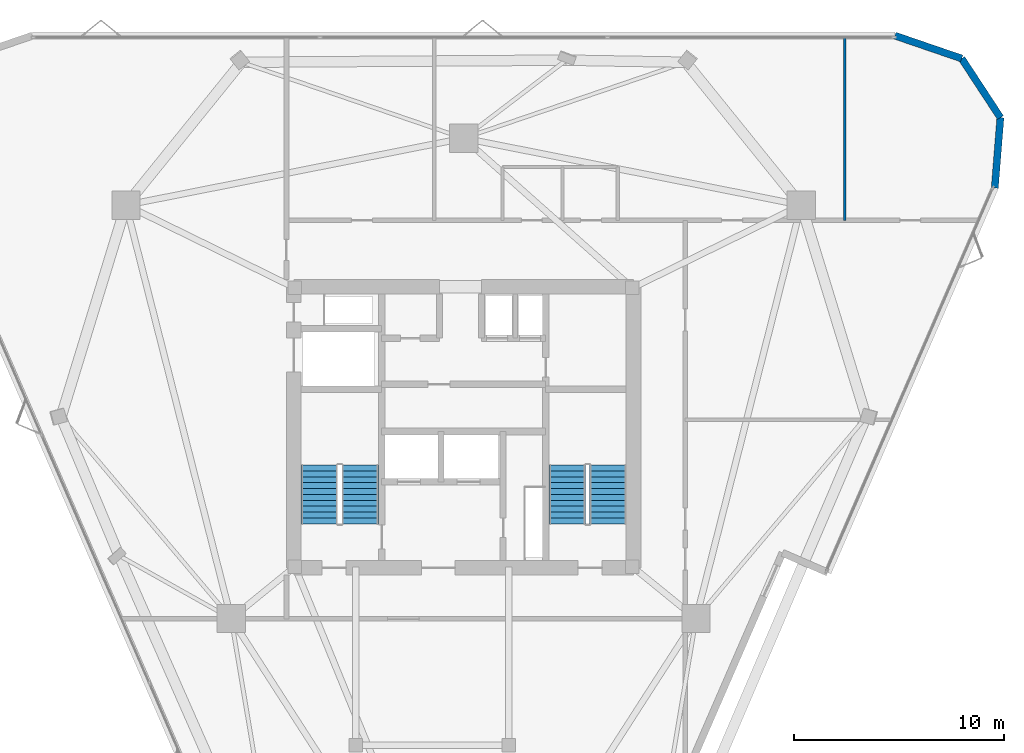
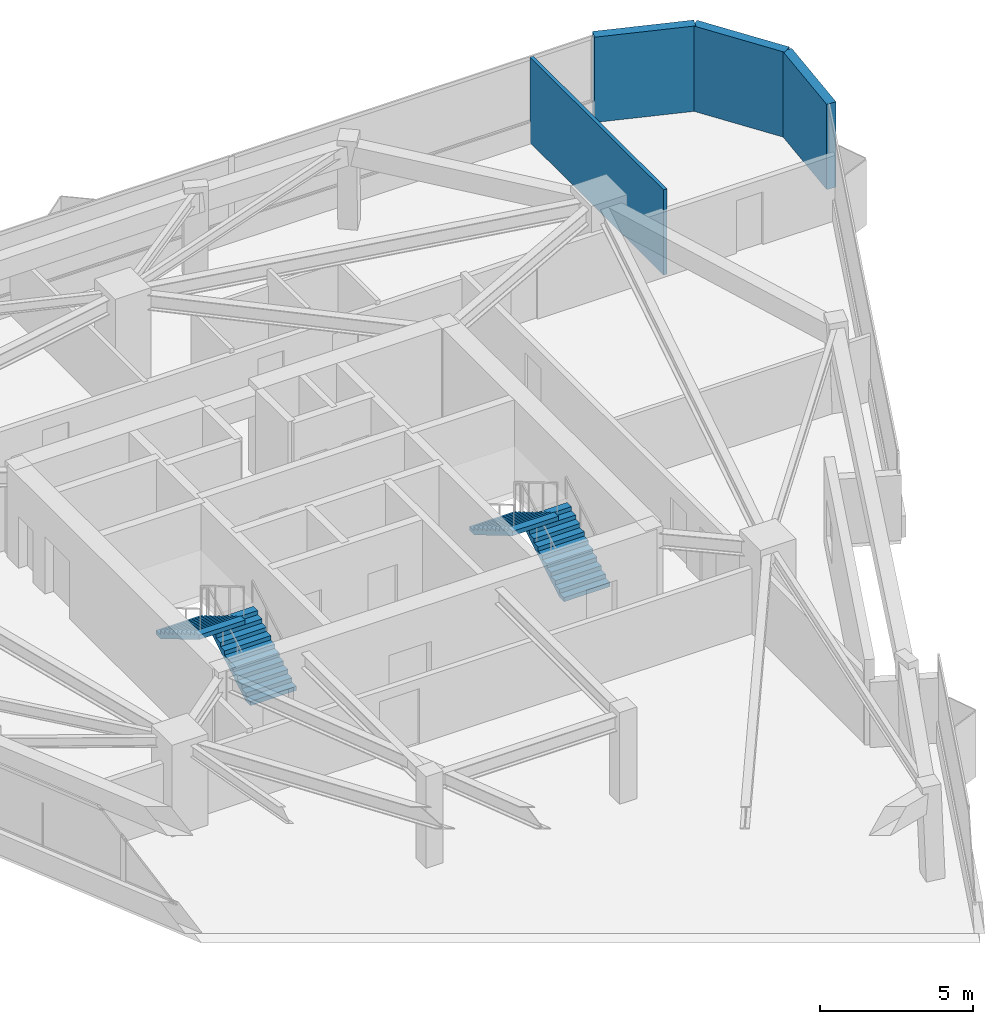
# One storey, part 9 of 10: 4 stair flights, 4 walls, 2 elements without a shape of their own.
"""IFC4 building model written with IfcOpenShell, lengths in metres."""

from ifc_helpers import new_model, si_unit, direction, frame, frame_2d, origin, place, context, subcontext, project, spatial, polyline, rectangle, outline, extrude, material, layer, layer_set, type_object, element, aggregate, save


model = new_model("IFC4")

# Units and contexts
model_context = context("Model", 3, precision=1e-05, world=origin(), true_north=direction((0.0, 1.0)))
body_context = subcontext(model_context, "Body", "Model", "MODEL_VIEW")
ifc_project = project(units=[si_unit("LENGTHUNIT", "METRE"), si_unit("AREAUNIT", "SQUARE_METRE"), si_unit("VOLUMEUNIT", "CUBIC_METRE"), si_unit("PLANEANGLEUNIT", "RADIAN"), si_unit("MASSUNIT", "GRAM", prefix="KILO")], contexts=[model_context])

# Site, building, storey
site_placement = place(None, origin())
site = spatial("IfcSite", under=ifc_project, at=site_placement, CompositionType="ELEMENT")
building_placement = place(site_placement, origin())
building = spatial("IfcBuilding", under=site, at=building_placement, Name="Talyreon Biosciences Tower", CompositionType="ELEMENT")
storey_placement = place(building_placement, frame((0.0, 0.0, 204.949951171875)))
storey = spatial("IfcBuildingStorey", under=building, at=storey_placement, Name="L54", CompositionType="ELEMENT", Elevation=204.949951171875)

# Walls
ifc_material_1 = material(Name="Gypsum acoustic stud partition", Category="gypsum")
ifc_layer_1 = layer(ifc_material_1, 0.1298828125)
ifc_layer_set_1 = layer_set([ifc_layer_1], Name="Gypsum acoustic stud partition")
wall_type_1 = type_object("IfcWallType", Name="OfficeWriteupPartition_130", PredefinedType="PARTITIONING", material=ifc_layer_set_1)
wall_1_placement = place(storey_placement, frame((84.18310546875, 77.8701171875, 0.0), z_axis=(0.0, 0.0, 1.0), x_axis=(0.0, 1.0, 0.0)))
element("IfcWall", 1, at=wall_1_placement, inside=storey, type_object=wall_type_1, Name="L54 Interior Wall IW-L54-NDIV2", PredefinedType="PARTITIONING", context=body_context, shape_type="SweptSolid", body=[
    extrude(rectangle(XDim=8.72998046875, YDim=0.1298828125, at=frame_2d((4.364990234375, 0.0))), origin(), (0.0, 0.0, 1.0), 3.400146484375),
])
ifc_material_2 = material(Name="Precast concrete C45/55", Category="concrete")
ifc_layer_2 = layer(ifc_material_2, 0.340087890625)
ifc_layer_set_2 = layer_set([ifc_layer_2], Name="Precast concrete C45/55")
wall_type_2 = type_object("IfcWallType", Name="PrecastConcreteSpandrelWall_340", PredefinedType="STANDARD", material=ifc_layer_set_2)
wall_2_placement = place(storey_placement, frame((86.5654296875, 86.685302734375, 0.0), z_axis=(0.0, 0.0, 1.0), x_axis=(0.945984660403, -0.324211385182, 0.0)))
element("IfcWall", 2, at=wall_2_placement, inside=storey, type_object=wall_type_2, Name="L54 Rounded-Corner Concrete Pier 04", PredefinedType="STANDARD", context=body_context, shape_type="SweptSolid", body=[
    extrude(rectangle(XDim=3.371337890625, YDim=0.340087890625, at=frame_2d((1.685546875, 0.0))), origin(), (0.0, 0.0, 1.0), 3.400146484375),
])
wall_3_placement = place(storey_placement, frame((89.754638671875, 85.59228515625, 0.0), z_axis=(0.0, 0.0, 1.0), x_axis=(0.548384356693, -0.836226403155, 0.0)))
element("IfcWall", 3, at=wall_3_placement, inside=storey, type_object=wall_type_2, Name="L54 Rounded-Corner Concrete Pier 05", PredefinedType="STANDARD", context=body_context, shape_type="SweptSolid", body=[
    extrude(rectangle(XDim=3.37158203125, YDim=0.340087890625, at=frame_2d((1.685791015625, 0.0))), origin(), (0.0, 0.0, 1.0), 3.400146484375),
])
wall_4_placement = place(storey_placement, frame((91.603515625, 82.77294921875, 0.0), z_axis=(0.0, 0.0, 1.0), x_axis=(-0.079802786794, -0.996810671702, 0.0)))
element("IfcWall", 4, at=wall_4_placement, inside=storey, type_object=wall_type_2, Name="L54 Rounded-Corner Concrete Pier 06", PredefinedType="STANDARD", context=body_context, shape_type="SweptSolid", body=[
    extrude(rectangle(XDim=3.371337890625, YDim=0.340087890625, at=frame_2d((1.685546875, 0.0))), origin(), (0.0, 0.0, 1.0), 3.400146484375),
])

# Stair, stair flights
ifc_material_3 = material(Name="Concrete C40/50", Category="concrete")
stair_type = type_object("IfcStairType", Name="DoglegEscapeStair_3650", PredefinedType="HALF_TURN_STAIR", material=ifc_material_3)
stair_1_placement = place(storey_placement, origin())
stair_1 = element("IfcStair", 5, at=stair_1_placement, inside=storey, type_object=stair_type, Name="L54 Core Escape Stair 1", PredefinedType="HALF_TURN_STAIR")
stair_flight_type = type_object("IfcStairFlightType", Name="PrecastStairFlight_3650", PredefinedType="STRAIGHT", material=ifc_material_3)
stair_flight_1_placement = place(storey_placement, frame((61.06005859375, 63.39990234375, 0.0), z_axis=(0.0, 0.0, 1.0), x_axis=(0.0, 1.0, 0.0)))
stair_flight_1 = element("IfcStairFlight", 6, at=stair_flight_1_placement, type_object=stair_flight_type, Name="ST-1 flight 1", NumberOfRisers=11, NumberOfTreads=10, PredefinedType="STRAIGHT", RiserHeight=0.165909091, TreadLength=0.28, context=body_context, shape_type="SweptSolid", body=[
    extrude(outline(polyline([(0.0, 0.0), (0.0, 0.166015625), (0.280029296875, 0.166015625), (0.280029296875, 0.331787109375), (0.56005859375, 0.331787109375), (0.56005859375, 0.497802734375), (0.840087890625, 0.497802734375), (0.840087890625, 0.66357421875), (1.1201171875, 0.66357421875), (1.1201171875, 0.82958984375), (1.39990234375, 0.82958984375), (1.39990234375, 0.995361328125), (1.679931640625, 0.995361328125), (1.679931640625, 1.161376953125), (1.9599609375, 1.161376953125), (1.9599609375, 1.327392578125), (2.239990234375, 1.327392578125), (2.239990234375, 1.4931640625), (2.52001953125, 1.4931640625), (2.52001953125, 1.6591796875), (2.800048828125, 1.6591796875), (2.800048828125, 1.824951171875), (2.800048828125, 1.48486328125), (0.2939453125, 0.0), (0.0, 0.0)])), frame((0.0, 0.8701171875, 0.0), z_axis=(0.0, -1.0, 0.0), x_axis=(1.0, 0.0, 0.0)), (0.0, 0.0, 1.0), 1.739990234375),
])
stair_flight_2_placement = place(storey_placement, frame((59.1201171875, 66.199951171875, 1.824951171875), z_axis=(0.0, 0.0, 1.0), x_axis=(0.0, -1.0, 0.0)))
stair_flight_2 = element("IfcStairFlight", 7, at=stair_flight_2_placement, type_object=stair_flight_type, Name="ST-1 flight 2", NumberOfRisers=11, NumberOfTreads=10, PredefinedType="STRAIGHT", RiserHeight=0.165909091, TreadLength=0.28, context=body_context, shape_type="SweptSolid", body=[
    extrude(outline(polyline([(0.0, 0.0), (0.0, 0.166015625), (0.280029296875, 0.166015625), (0.280029296875, 0.331787109375), (0.56005859375, 0.331787109375), (0.56005859375, 0.497802734375), (0.840087890625, 0.497802734375), (0.840087890625, 0.66357421875), (1.1201171875, 0.66357421875), (1.1201171875, 0.82958984375), (1.39990234375, 0.82958984375), (1.39990234375, 0.995361328125), (1.679931640625, 0.995361328125), (1.679931640625, 1.161376953125), (1.9599609375, 1.161376953125), (1.9599609375, 1.327392578125), (2.239990234375, 1.327392578125), (2.239990234375, 1.4931640625), (2.52001953125, 1.4931640625), (2.52001953125, 1.6591796875), (2.800048828125, 1.6591796875), (2.800048828125, 1.824951171875), (2.800048828125, 1.48486328125), (0.2939453125, 0.0), (0.0, 0.0)])), frame((0.0, 0.8701171875, 0.0), z_axis=(0.0, -1.0, 0.0), x_axis=(1.0, 0.0, 0.0)), (0.0, 0.0, 1.0), 1.739990234375),
])
aggregate(stair_1, [stair_flight_1, stair_flight_2])

stair_2_placement = place(storey_placement, origin())
stair_2 = element("IfcStair", 8, at=stair_2_placement, inside=storey, type_object=stair_type, Name="L54 Core Escape Stair 2", PredefinedType="HALF_TURN_STAIR")
stair_flight_3_placement = place(storey_placement, frame((72.8798828125, 63.39990234375, 0.0), z_axis=(0.0, 0.0, 1.0), x_axis=(0.0, 1.0, 0.0)))
stair_flight_3 = element("IfcStairFlight", 9, at=stair_flight_3_placement, type_object=stair_flight_type, Name="ST-2 flight 1", NumberOfRisers=11, NumberOfTreads=10, PredefinedType="STRAIGHT", RiserHeight=0.165909091, TreadLength=0.28, context=body_context, shape_type="SweptSolid", body=[
    extrude(outline(polyline([(0.0, 0.0), (0.0, 0.166015625), (0.280029296875, 0.166015625), (0.280029296875, 0.331787109375), (0.56005859375, 0.331787109375), (0.56005859375, 0.497802734375), (0.840087890625, 0.497802734375), (0.840087890625, 0.66357421875), (1.1201171875, 0.66357421875), (1.1201171875, 0.82958984375), (1.39990234375, 0.82958984375), (1.39990234375, 0.995361328125), (1.679931640625, 0.995361328125), (1.679931640625, 1.161376953125), (1.9599609375, 1.161376953125), (1.9599609375, 1.327392578125), (2.239990234375, 1.327392578125), (2.239990234375, 1.4931640625), (2.52001953125, 1.4931640625), (2.52001953125, 1.6591796875), (2.800048828125, 1.6591796875), (2.800048828125, 1.824951171875), (2.800048828125, 1.48486328125), (0.2939453125, 0.0), (0.0, 0.0)])), frame((0.0, 0.8701171875, 0.0), z_axis=(0.0, -1.0, 0.0), x_axis=(1.0, 0.0, 0.0)), (0.0, 0.0, 1.0), 1.739990234375),
])
stair_flight_4_placement = place(storey_placement, frame((70.93994140625, 66.199951171875, 1.824951171875), z_axis=(0.0, 0.0, 1.0), x_axis=(0.0, -1.0, 0.0)))
stair_flight_4 = element("IfcStairFlight", 10, at=stair_flight_4_placement, type_object=stair_flight_type, Name="ST-2 flight 2", NumberOfRisers=11, NumberOfTreads=10, PredefinedType="STRAIGHT", RiserHeight=0.165909091, TreadLength=0.28, context=body_context, shape_type="SweptSolid", body=[
    extrude(outline(polyline([(0.0, 0.0), (0.0, 0.166015625), (0.280029296875, 0.166015625), (0.280029296875, 0.331787109375), (0.56005859375, 0.331787109375), (0.56005859375, 0.497802734375), (0.840087890625, 0.497802734375), (0.840087890625, 0.66357421875), (1.1201171875, 0.66357421875), (1.1201171875, 0.82958984375), (1.39990234375, 0.82958984375), (1.39990234375, 0.995361328125), (1.679931640625, 0.995361328125), (1.679931640625, 1.161376953125), (1.9599609375, 1.161376953125), (1.9599609375, 1.327392578125), (2.239990234375, 1.327392578125), (2.239990234375, 1.4931640625), (2.52001953125, 1.4931640625), (2.52001953125, 1.6591796875), (2.800048828125, 1.6591796875), (2.800048828125, 1.824951171875), (2.800048828125, 1.48486328125), (0.2939453125, 0.0), (0.0, 0.0)])), frame((0.0, 0.8701171875, 0.0), z_axis=(0.0, -1.0, 0.0), x_axis=(1.0, 0.0, 0.0)), (0.0, 0.0, 1.0), 1.739990234375),
])
aggregate(stair_2, [stair_flight_3, stair_flight_4])

save(model, "model.ifc")
